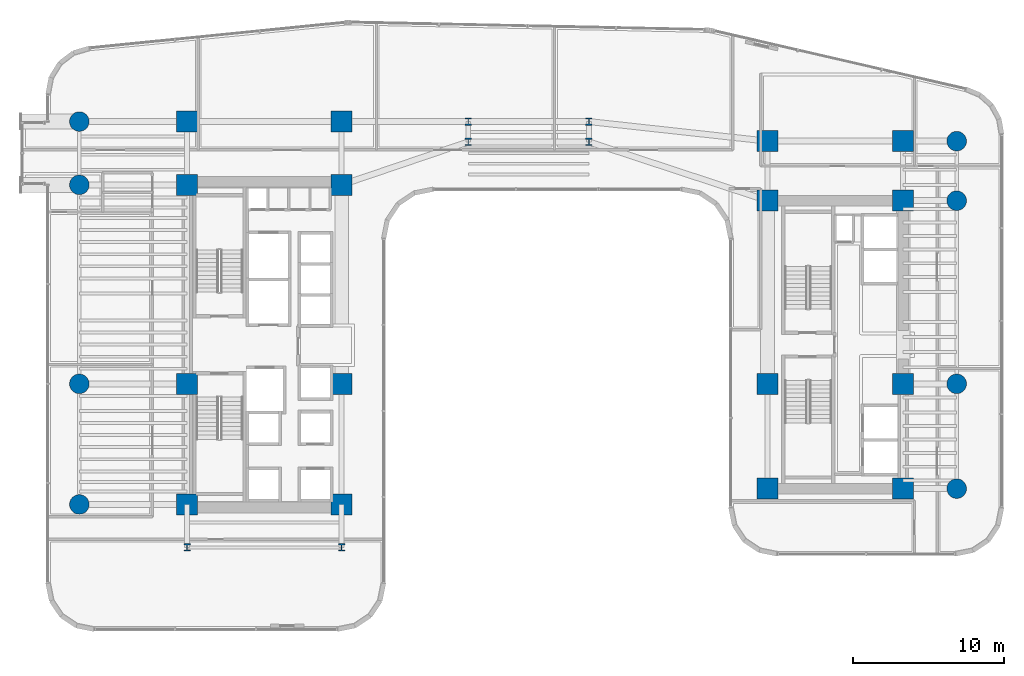
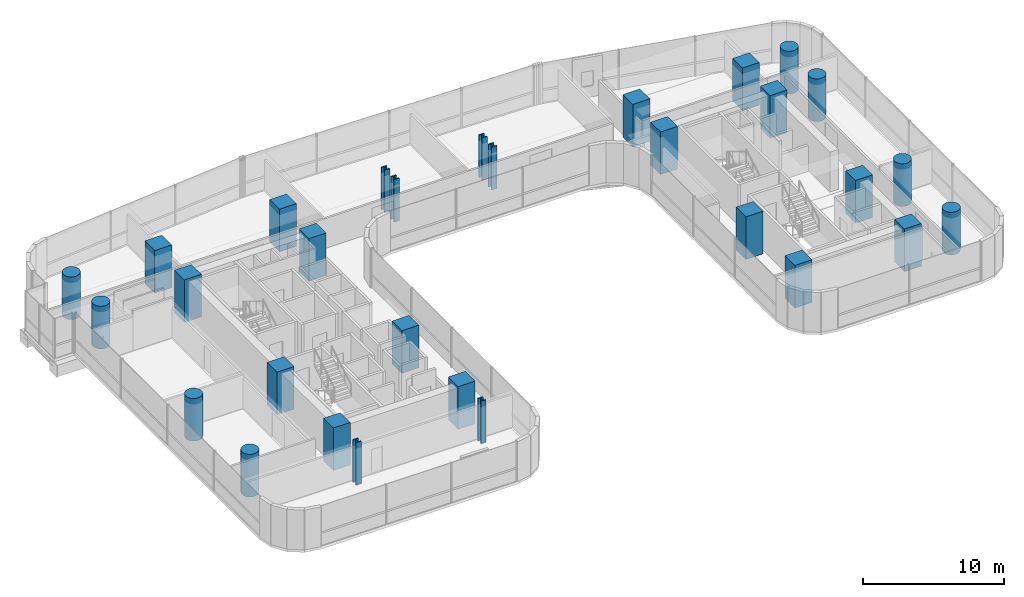
# One storey, part 1 of 40: 30 columns.
"""IFC4 building model written with IfcOpenShell, lengths in metres."""

from ifc_helpers import new_model, si_unit, direction, frame, origin, origin_2d, place, context, subcontext, project, spatial, rectangle, circle, i_section, extrude, source, transform, mapped, material, material_profile, profile_set, type_object, element, save


model = new_model("IFC4")

# Units and contexts
model_context = context("Model", 3, precision=1e-05, world=origin(), true_north=direction((0.0, 1.0)))
body_context = subcontext(model_context, "Body", "Model", "MODEL_VIEW")
ifc_project = project(units=[si_unit("LENGTHUNIT", "METRE"), si_unit("AREAUNIT", "SQUARE_METRE"), si_unit("VOLUMEUNIT", "CUBIC_METRE"), si_unit("PLANEANGLEUNIT", "RADIAN"), si_unit("MASSUNIT", "GRAM", prefix="KILO")], contexts=[model_context])

# Site, building, storey
site_placement = place(None, origin())
site = spatial("IfcSite", under=ifc_project, at=site_placement, CompositionType="ELEMENT")
building_placement = place(site_placement, origin())
building = spatial("IfcBuilding", under=site, at=building_placement, Name="Valdorenza Pilgrim Sanctuary Tower", CompositionType="ELEMENT")
storey_placement = place(building_placement, frame((0.0, 0.0, 48.199951171875)))
storey = spatial("IfcBuildingStorey", under=building, at=storey_placement, Name="L11", CompositionType="ELEMENT", Elevation=48.199951171875)

# Columns
ifc_material_1 = material(Name="Concrete C60/75", Category="concrete")
ifc_material_profile_1 = material_profile(ifc_material_1, circle(Radius=0.64990234375, at=origin_2d()), Name="RC D1300")
ifc_profile_set_1 = profile_set([ifc_material_profile_1], Name="Concrete C60/75")
column_type_1 = type_object("IfcColumnType", Name="COL-RND-1300", PredefinedType="COLUMN", material=ifc_profile_set_1)
shared_shape_1 = source(origin(), body_context, "Body", "SweptSolid", [
    extrude(circle(Radius=0.64990234375, at=origin_2d()), origin(), (0.0, 0.0, 1.0), 3.699951171875),
])
for number, where, z_axis, x_axis, name in (
    (1, (-29.800048828125, -10.60009765625, 0.0), (0.0, 0.0, 1.0), (1.0, 0.0, 0.0), "L11 Perimeter Column WA-W-S1"),
    (2, (-29.800048828125, -2.60009765625, 0.0), (0.0, 0.0, 1.0), (1.0, 0.0, 0.0), "L11 Perimeter Column WA-W-M0"),
    (3, (-29.800048828125, 10.60009765625, 0.0), (0.0, 0.0, 1.0), (1.0, 0.0, 0.0), "L11 Perimeter Column WA-W-N1"),
    (4, (-29.800048828125, 14.800048828125, 0.0), (0.0, 0.0, 1.0), (1.0, 0.0, 0.0), "L11 Perimeter Column WA-W-N2"),
    (5, (28.39990234375, -9.550048828125, 0.0), (0.0, 0.0, 1.0), (1.0, 0.0, 0.0), "L11 Perimeter Column WB-E-S1"),
    (6, (28.39990234375, -2.60009765625, 0.0), (0.0, 0.0, 1.0), (1.0, 0.0, 0.0), "L11 Perimeter Column WB-E-M0"),
    (7, (28.39990234375, 9.550048828125, 0.0), (0.0, 0.0, 1.0), (1.0, 0.0, 0.0), "L11 Perimeter Column WB-E-N1"),
    (8, (28.39990234375, 13.5, 0.0), (0.0, 0.0, 1.0), (1.0, 0.0, 0.0), "L11 Perimeter Column WB-E-N2"),
):
    element("IfcColumn", number, at=place(storey_placement, frame(where, z_axis=z_axis, x_axis=x_axis)), inside=storey, type_object=column_type_1, Name=name, PredefinedType="COLUMN", context=body_context, shape_type="MappedRepresentation", body=[
        mapped(shared_shape_1, transform((0.0, 0.0, 0.0), x_axis=(1.0, 0.0, 0.0), y_axis=(0.0, 1.0, 0.0), z_axis=(0.0, 0.0, 1.0), scale=1.0)),
    ])
ifc_material_profile_2 = material_profile(ifc_material_1, rectangle(XDim=1.39990234375, YDim=1.39990234375, at=origin_2d()), Name="RC 1400x1400")
ifc_profile_set_2 = profile_set([ifc_material_profile_2], Name="Concrete C60/75")
column_type_2 = type_object("IfcColumnType", Name="COL-Z1-1400", PredefinedType="COLUMN", material=ifc_profile_set_2)
shared_shape_2 = source(origin(), body_context, "Body", "SweptSolid", [
    extrude(rectangle(XDim=1.39990234375, YDim=1.39990234375, at=origin_2d()), origin(), (0.0, 0.0, 1.0), 3.699951171875),
])
for number, where, z_axis, x_axis, name in (
    (9, (-22.64990234375, -10.60009765625, 0.0), (0.0, 0.0, 1.0), (1.0, 0.0, 0.0), "L11 Column CA-W-S1"),
    (10, (-12.39990234375, -10.60009765625, 0.0), (0.0, 0.0, 1.0), (1.0, 0.0, 0.0), "L11 Column CA-E-S1"),
    (11, (-22.64990234375, -2.60009765625, 0.0), (0.0, 0.0, 1.0), (1.0, 0.0, 0.0), "L11 Column CA-W-M0"),
    (12, (-12.39990234375, -2.60009765625, 0.0), (0.0, 0.0, 1.0), (1.0, 0.0, 0.0), "L11 Column CA-E-M0"),
    (13, (-22.64990234375, 10.60009765625, 0.0), (0.0, 0.0, 1.0), (1.0, 0.0, 0.0), "L11 Column CA-W-N1"),
    (14, (-12.39990234375, 10.60009765625, 0.0), (0.0, 0.0, 1.0), (1.0, 0.0, 0.0), "L11 Column CA-E-N1"),
    (15, (-22.64990234375, 14.800048828125, 0.0), (0.0, 0.0, 1.0), (1.0, 0.0, 0.0), "L11 Column CA-W-N2"),
    (16, (-12.39990234375, 14.800048828125, 0.0), (0.0, 0.0, 1.0), (1.0, 0.0, 0.0), "L11 Column CA-E-N2"),
    (17, (15.85009765625, -9.550048828125, 0.0), (0.0, 0.0, 1.0), (1.0, 0.0, 0.0), "L11 Column CB-W-S1"),
    (18, (24.85009765625, -9.550048828125, 0.0), (0.0, 0.0, 1.0), (1.0, 0.0, 0.0), "L11 Column CB-E-S1"),
    (19, (15.85009765625, -2.60009765625, 0.0), (0.0, 0.0, 1.0), (1.0, 0.0, 0.0), "L11 Column CB-W-M0"),
    (20, (24.85009765625, -2.60009765625, 0.0), (0.0, 0.0, 1.0), (1.0, 0.0, 0.0), "L11 Column CB-E-M0"),
    (21, (15.85009765625, 9.550048828125, 0.0), (0.0, 0.0, 1.0), (1.0, 0.0, 0.0), "L11 Column CB-W-N1"),
    (22, (24.85009765625, 9.550048828125, 0.0), (0.0, 0.0, 1.0), (1.0, 0.0, 0.0), "L11 Column CB-E-N1"),
    (23, (15.85009765625, 13.5, 0.0), (0.0, 0.0, 1.0), (1.0, 0.0, 0.0), "L11 Column CB-W-N2"),
    (24, (24.85009765625, 13.5, 0.0), (0.0, 0.0, 1.0), (1.0, 0.0, 0.0), "L11 Column CB-E-N2"),
):
    element("IfcColumn", number, at=place(storey_placement, frame(where, z_axis=z_axis, x_axis=x_axis)), inside=storey, type_object=column_type_2, Name=name, PredefinedType="COLUMN", context=body_context, shape_type="MappedRepresentation", body=[
        mapped(shared_shape_2, transform((0.0, 0.0, 0.0), x_axis=(1.0, 0.0, 0.0), y_axis=(0.0, 1.0, 0.0), z_axis=(0.0, 0.0, 1.0), scale=1.0)),
    ])
ifc_material_2 = material(Name="Steel ASTM A992 Grade 50", Category="steel")
ifc_material_profile_3 = material_profile(ifc_material_2, i_section(OverallWidth=0.431884765625, OverallDepth=0.498046875, WebThickness=0.0556640625, FlangeThickness=0.0888671875, at=origin_2d()), Name="W14X500")
ifc_profile_set_3 = profile_set([ifc_material_profile_3], Name="Steel ASTM A992 Grade 50")
column_type_3 = type_object("IfcColumnType", Name="COL-STL-W500", PredefinedType="COLUMN", material=ifc_profile_set_3)
shared_shape_3 = source(origin(), body_context, "Body", "SweptSolid", [
    extrude(i_section(OverallWidth=0.431884765625, OverallDepth=0.498046875, WebThickness=0.0556640625, FlangeThickness=0.0888671875, at=origin_2d()), origin(), (0.0, 0.0, 1.0), 3.699951171875),
])
for number, where, z_axis, x_axis, name in (
    (25, (-22.64990234375, -13.449951171875, 0.0), (0.0, 0.0, 1.0), (1.0, 0.0, 0.0), "L11 Column WA-S-W"),
    (26, (-12.39990234375, -13.449951171875, 0.0), (0.0, 0.0, 1.0), (1.0, 0.0, 0.0), "L11 Column WA-S-E"),
    (27, (-4.0, 13.449951171875, 0.0), (0.0, 0.0, 1.0), (1.0, 0.0, 0.0), "L11 Column KNK-W1"),
    (28, (-4.0, 14.800048828125, 0.0), (0.0, 0.0, 1.0), (1.0, 0.0, 0.0), "L11 Column KNK-W2"),
    (29, (4.0, 13.449951171875, 0.0), (0.0, 0.0, 1.0), (1.0, 0.0, 0.0), "L11 Column KNK-E1"),
    (30, (4.0, 14.800048828125, 0.0), (0.0, 0.0, 1.0), (1.0, 0.0, 0.0), "L11 Column KNK-E2"),
):
    element("IfcColumn", number, at=place(storey_placement, frame(where, z_axis=z_axis, x_axis=x_axis)), inside=storey, type_object=column_type_3, Name=name, PredefinedType="COLUMN", context=body_context, shape_type="MappedRepresentation", body=[
        mapped(shared_shape_3, transform((0.0, 0.0, 0.0), x_axis=(1.0, 0.0, 0.0), y_axis=(0.0, 1.0, 0.0), z_axis=(0.0, 0.0, 1.0), scale=1.0)),
    ])

save(model, "model.ifc")
